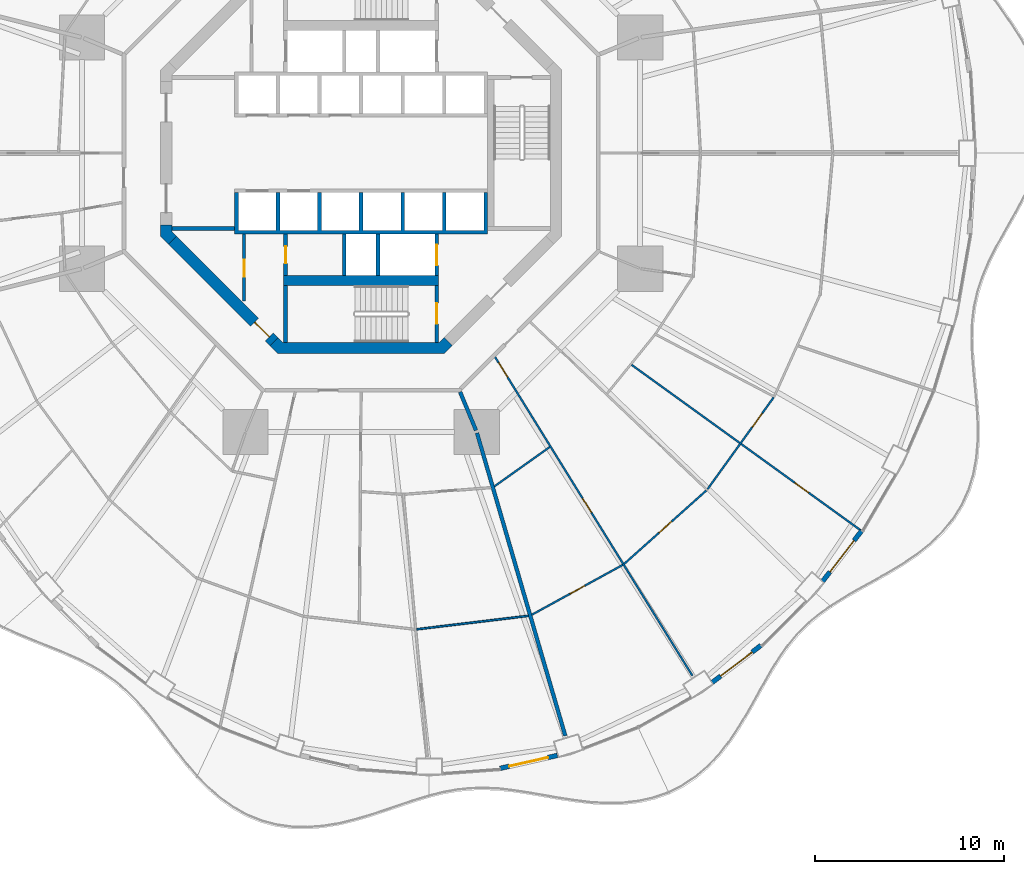
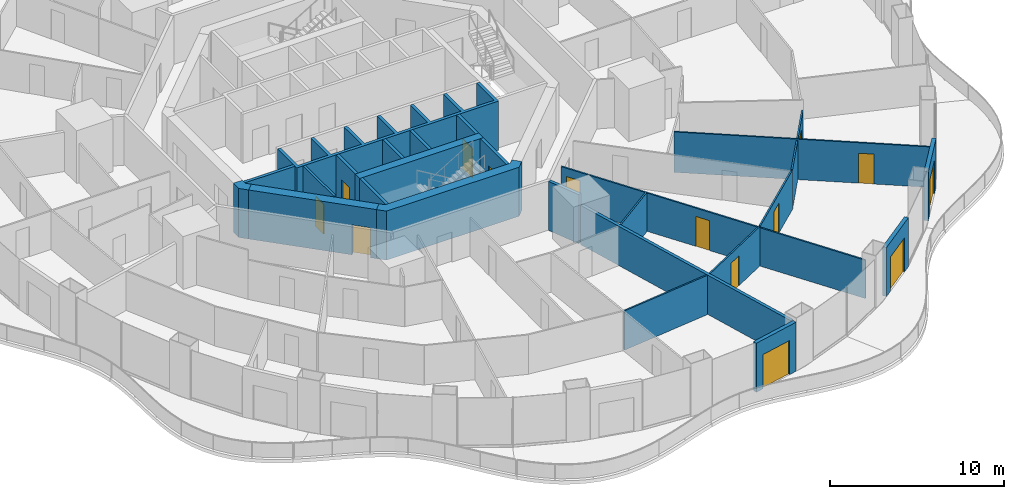
# One storey, part 15 of 22: 25 walls, 14 doors, 14 openings.
"""IFC4 building model written with IfcOpenShell, lengths in metres."""

from ifc_helpers import new_model, si_unit, direction, frame, frame_2d, origin, place, context, subcontext, project, spatial, polyline, rectangle, outline, extrude, material, layer, layer_set, type_object, element, fill, save


model = new_model("IFC4")

# Units and contexts
model_context = context("Model", 3, precision=1e-05, world=origin(), true_north=direction((0.0, 1.0)))
body_context = subcontext(model_context, "Body", "Model", "MODEL_VIEW")
ifc_project = project(units=[si_unit("LENGTHUNIT", "METRE"), si_unit("AREAUNIT", "SQUARE_METRE"), si_unit("VOLUMEUNIT", "CUBIC_METRE"), si_unit("PLANEANGLEUNIT", "RADIAN"), si_unit("MASSUNIT", "GRAM", prefix="KILO")], contexts=[model_context])

# Site, building, storey
site_placement = place(None, origin())
site = spatial("IfcSite", under=ifc_project, at=site_placement, CompositionType="ELEMENT")
building_placement = place(site_placement, origin())
building = spatial("IfcBuilding", under=site, at=building_placement, Name="Nagisa Residences", CompositionType="ELEMENT")
storey_placement = place(building_placement, frame((0.0, 0.0, 52.89990234375)))
storey = spatial("IfcBuildingStorey", under=building, at=storey_placement, Name="L12", CompositionType="ELEMENT", Elevation=52.89990234375)

# Walls
ifc_material_1 = material(Name="Gypsum board on steel studs", Category="steel")
ifc_layer_1 = layer(ifc_material_1, 0.199951171875)
ifc_layer_set_1 = layer_set([ifc_layer_1], Name="Apartment compartment wall EI60 200")
wall_type_1 = type_object("IfcWallType", Name="Apartment compartment wall EI60 200", PredefinedType="PARTITIONING", material=ifc_layer_set_1)
wall_1_placement = place(storey_placement, frame((5.24267578125, -12.6572265625, 0.0), z_axis=(0.0, 0.0, 1.0), x_axis=(0.382707856524, -0.923869415315, 0.0)))
element("IfcWall", 1, at=wall_1_placement, inside=storey, type_object=wall_type_1, Name="wall:L12:u08", PredefinedType="PARTITIONING", context=body_context, shape_type="SweptSolid", body=[
    extrude(rectangle(XDim=2.2001953125, YDim=0.199951171875, at=frame_2d((1.10009765625, 0.0))), origin(), (0.0, 0.0, 1.0), 3.440185546875),
])
wall_2_placement = place(storey_placement, frame((6.136962890625, -14.830078125, 0.0), z_axis=(0.0, 0.0, 1.0), x_axis=(0.27985745069, -0.960041565399, 0.0)))
element("IfcWall", 2, at=wall_2_placement, inside=storey, type_object=wall_type_1, Name="wall:L12:u09", PredefinedType="PARTITIONING", context=body_context, shape_type="SweptSolid", body=[
    extrude(rectangle(XDim=16.705078125, YDim=0.199951171875, at=frame_2d((8.3525390625, 0.0))), origin(), (0.0, 0.0, 1.0), 2.756103515625),
])
ifc_material_2 = material(Name="Gypsum board on steel studs", Category="steel")
ifc_layer_2 = layer(ifc_material_2, 0.10009765625)
ifc_layer_set_2 = layer_set([ifc_layer_2], Name="Apartment partition 100")
wall_type_2 = type_object("IfcWallType", Name="Apartment partition 100", PredefinedType="PARTITIONING", material=ifc_layer_set_2)
wall_3_placement = place(storey_placement, frame((2.94091796875, -25.228515625, 0.0), z_axis=(0.0, 0.0, 1.0), x_axis=(0.992834127896, 0.119500604542, 0.0)))
element("IfcWall", 3, at=wall_3_placement, inside=storey, type_object=wall_type_2, Name="wall:L12:u78", PredefinedType="PARTITIONING", context=body_context, shape_type="SweptSolid", body=[
    extrude(rectangle(XDim=5.95947265625, YDim=0.10009765625, at=frame_2d((2.979736328125, 0.0))), origin(), (0.0, 0.0, 1.0), 2.756103515625),
])
wall_4_placement = place(storey_placement, frame((7.0595703125, -17.657470703125, 0.0), z_axis=(0.0, 0.0, 1.0), x_axis=(0.81492039338, 0.57957290521, 0.0)))
element("IfcWall", 4, at=wall_4_placement, inside=storey, type_object=wall_type_2, Name="wall:L12:u79", PredefinedType="PARTITIONING", context=body_context, shape_type="SweptSolid", body=[
    extrude(rectangle(XDim=3.594482421875, YDim=0.10009765625, at=frame_2d((1.79736328125, 0.0))), origin(), (0.0, 0.0, 1.0), 2.756103515625),
])

# Wall, opening, door
wall_5_placement = place(storey_placement, frame((9.044677734375, -24.456298828125, 0.0), z_axis=(0.0, 0.0, 1.0), x_axis=(0.876809987787, 0.480837025734, 0.0)))
wall_5 = element("IfcWall", 5, at=wall_5_placement, inside=storey, type_object=wall_type_2, Name="wall:L12:u80", PredefinedType="PARTITIONING", context=body_context, shape_type="SweptSolid", body=[
    extrude(rectangle(XDim=5.486083984375, YDim=0.10009765625, at=frame_2d((2.7431640625, 0.0))), origin(), (0.0, 0.0, 1.0), 2.756103515625),
])
opening_1_placement = place(wall_5_placement, frame((2.293212890625, 0.0, 0.0)))
opening_1 = element("IfcOpeningElement", 6, at=opening_1_placement, cuts=wall_5, Name="Opening L12-U37", PredefinedType="OPENING", context=body_context, shape_type="SweptSolid", body=[
    extrude(rectangle(XDim=0.89990234375, YDim=2.10009765625, at=frame_2d((0.449951171875, 1.050048828125))), frame((0.0, 0.06005859375, 0.0), z_axis=(0.0, -1.0, 0.0), x_axis=(1.0, 0.0, 0.0)), (0.0, 0.0, 1.0), 0.1201171875),
])
ifc_material_3 = material(Name="Timber door set", Category="wood")
door_type_1 = type_object("IfcDoorType", Name="Apartment door 900x2100", OperationType="NOTDEFINED", PredefinedType="DOOR", material=ifc_material_3)
door_1_placement = place(opening_1_placement, frame((0.89990234375, 0.0, 0.0), x_axis=(-1.0, 0.0, 0.0)))
door_1 = element("IfcDoor", 7, at=door_1_placement, inside=storey, type_object=door_type_1, Name="Door to master bedroom, Apartment 12D", OperationType="SINGLE_SWING_RIGHT", OverallHeight=2.10009765625, OverallWidth=0.89990234375, PredefinedType="DOOR", context=body_context, shape_type="SweptSolid", body=[
    extrude(rectangle(XDim=0.89990234375, YDim=2.10009765625, at=frame_2d((0.449951171875, 1.050048828125))), frame((0.0, 0.02490234375, 0.0), z_axis=(0.0, -1.0, 0.0), x_axis=(1.0, 0.0, 0.0)), (0.0, 0.0, 1.0), 0.050048828125),
])
fill(opening_1, door_1)

# Wall, openings, doors
wall_6_placement = place(storey_placement, frame((7.09716796875, -10.809814453125, 0.0), z_axis=(0.0, 0.0, 1.0), x_axis=(0.526453266471, -0.850204068576, 0.0)))
wall_6 = element("IfcWall", 8, at=wall_6_placement, inside=storey, type_object=wall_type_2, Name="wall:L12:u81", PredefinedType="PARTITIONING", context=body_context, shape_type="SweptSolid", body=[
    extrude(rectangle(XDim=19.85009765625, YDim=0.10009765625, at=frame_2d((9.925048828125, 0.0))), origin(), (0.0, 0.0, 1.0), 2.68701171875),
])
opening_2_placement = place(wall_6_placement, frame((0.35009765625, 0.0, 0.0)))
opening_2 = element("IfcOpeningElement", 9, at=opening_2_placement, cuts=wall_6, Name="Opening L12-U29", PredefinedType="OPENING", context=body_context, shape_type="SweptSolid", body=[
    extrude(rectangle(XDim=0.89990234375, YDim=2.10009765625, at=frame_2d((0.449951171875, 1.050048828125))), frame((0.0, 0.06005859375, 0.0), z_axis=(0.0, -1.0, 0.0), x_axis=(1.0, 0.0, 0.0)), (0.0, 0.0, 1.0), 0.1201171875),
])
opening_3_placement = place(wall_6_placement, frame((8.794921875, 0.0, 0.0)))
opening_3 = element("IfcOpeningElement", 10, at=opening_3_placement, cuts=wall_6, Name="Opening L12-U33", PredefinedType="OPENING", context=body_context, shape_type="SweptSolid", body=[
    extrude(rectangle(XDim=0.89990234375, YDim=2.10009765625, at=frame_2d((0.449951171875, 1.050048828125))), frame((0.0, 0.06005859375, 0.0), z_axis=(0.0, -1.0, 0.0), x_axis=(1.0, 0.0, 0.0)), (0.0, 0.0, 1.0), 0.1201171875),
])
door_2_placement = place(opening_2_placement, frame((0.89990234375, 0.0, 0.0), x_axis=(-1.0, 0.0, 0.0)))
door_2 = element("IfcDoor", 11, at=door_2_placement, inside=storey, type_object=door_type_1, Name="Door to laundry, Apartment 12D", OperationType="SINGLE_SWING_RIGHT", OverallHeight=2.10009765625, OverallWidth=0.89990234375, PredefinedType="DOOR", context=body_context, shape_type="SweptSolid", body=[
    extrude(rectangle(XDim=0.89990234375, YDim=2.10009765625, at=frame_2d((0.449951171875, 1.050048828125))), frame((0.0, 0.02490234375, 0.0), z_axis=(0.0, -1.0, 0.0), x_axis=(1.0, 0.0, 0.0)), (0.0, 0.0, 1.0), 0.050048828125),
])
fill(opening_2, door_2)
door_3_placement = place(opening_3_placement, frame((0.89990234375, 0.0, 0.0), x_axis=(-1.0, 0.0, 0.0)))
door_3 = element("IfcDoor", 12, at=door_3_placement, inside=storey, type_object=door_type_1, Name="Door to kitchen, Apartment 12D", OperationType="SINGLE_SWING_RIGHT", OverallHeight=2.10009765625, OverallWidth=0.89990234375, PredefinedType="DOOR", context=body_context, shape_type="SweptSolid", body=[
    extrude(rectangle(XDim=0.89990234375, YDim=2.10009765625, at=frame_2d((0.449951171875, 1.050048828125))), frame((0.0, 0.02490234375, 0.0), z_axis=(0.0, -1.0, 0.0), x_axis=(1.0, 0.0, 0.0)), (0.0, 0.0, 1.0), 0.050048828125),
])
fill(opening_3, door_3)

# Wall, opening, door
wall_7_placement = place(storey_placement, frame((13.936279296875, -21.760986328125, 0.0), z_axis=(0.0, 0.0, 1.0), x_axis=(0.745806142791, 0.666163041136, 0.0)))
wall_7 = element("IfcWall", 13, at=wall_7_placement, inside=storey, type_object=wall_type_2, Name="wall:L12:u82", PredefinedType="PARTITIONING", context=body_context, shape_type="SweptSolid", body=[
    extrude(rectangle(XDim=5.83056640625, YDim=0.10009765625, at=frame_2d((2.915283203125, 0.0))), origin(), (0.0, 0.0, 1.0), 2.756103515625),
])
opening_4_placement = place(wall_7_placement, frame((2.46533203125, 0.0, 0.0)))
opening_4 = element("IfcOpeningElement", 14, at=opening_4_placement, cuts=wall_7, Name="Opening L12-U38", PredefinedType="OPENING", context=body_context, shape_type="SweptSolid", body=[
    extrude(rectangle(XDim=0.89990234375, YDim=2.10009765625, at=frame_2d((0.449951171875, 1.050048828125))), frame((0.0, 0.06005859375, 0.0), z_axis=(0.0, -1.0, 0.0), x_axis=(1.0, 0.0, 0.0)), (0.0, 0.0, 1.0), 0.1201171875),
])
door_4_placement = place(opening_4_placement, frame((0.89990234375, 0.0, 0.0), x_axis=(-1.0, 0.0, 0.0)))
door_4 = element("IfcDoor", 15, at=door_4_placement, inside=storey, type_object=door_type_1, Name="Door to living room, Apartment 12D", OperationType="SINGLE_SWING_LEFT", OverallHeight=2.10009765625, OverallWidth=0.89990234375, PredefinedType="DOOR", context=body_context, shape_type="SweptSolid", body=[
    extrude(rectangle(XDim=0.89990234375, YDim=2.10009765625, at=frame_2d((0.449951171875, 1.050048828125))), frame((0.0, 0.02490234375, 0.0), z_axis=(0.0, -1.0, 0.0), x_axis=(1.0, 0.0, 0.0)), (0.0, 0.0, 1.0), 0.050048828125),
])
fill(opening_4, door_4)

wall_8_placement = place(storey_placement, frame((18.35107421875, -17.802978515625, 0.0), z_axis=(0.0, 0.0, 1.0), x_axis=(0.584563700282, 0.811347817099, 0.0)))
wall_8 = element("IfcWall", 16, at=wall_8_placement, inside=storey, type_object=wall_type_2, Name="wall:L12:u85", PredefinedType="PARTITIONING", context=body_context, shape_type="SweptSolid", body=[
    extrude(rectangle(XDim=5.984375, YDim=0.10009765625, at=frame_2d((2.9921875, 0.0))), origin(), (0.0, 0.0, 1.0), 2.756103515625),
])
opening_5_placement = place(wall_8_placement, frame((4.038330078125, 0.0, 0.0)))
opening_5 = element("IfcOpeningElement", 17, at=opening_5_placement, cuts=wall_8, Name="Opening L12-U42", PredefinedType="OPENING", context=body_context, shape_type="SweptSolid", body=[
    extrude(rectangle(XDim=0.89990234375, YDim=2.10009765625, at=frame_2d((0.449951171875, 1.050048828125))), frame((0.0, 0.06005859375, 0.0), z_axis=(0.0, -1.0, 0.0), x_axis=(1.0, 0.0, 0.0)), (0.0, 0.0, 1.0), 0.1201171875),
])
door_5_placement = place(opening_5_placement, origin())
door_5 = element("IfcDoor", 18, at=door_5_placement, inside=storey, type_object=door_type_1, Name="Door to en-suite bathroom, Apartment 12D", OperationType="SINGLE_SWING_RIGHT", OverallHeight=2.10009765625, OverallWidth=0.89990234375, PredefinedType="DOOR", context=body_context, shape_type="SweptSolid", body=[
    extrude(rectangle(XDim=0.89990234375, YDim=2.10009765625, at=frame_2d((0.449951171875, 1.050048828125))), frame((0.0, 0.02490234375, 0.0), z_axis=(0.0, -1.0, 0.0), x_axis=(1.0, 0.0, 0.0)), (0.0, 0.0, 1.0), 0.050048828125),
])
fill(opening_5, door_5)

wall_9_placement = place(storey_placement, frame((14.328857421875, -11.22119140625, 0.0), z_axis=(0.0, 0.0, 1.0), x_axis=(0.810671130917, -0.58550176558, 0.0)))
wall_9 = element("IfcWall", 19, at=wall_9_placement, inside=storey, type_object=wall_type_2, Name="wall:L12:u86", PredefinedType="PARTITIONING", context=body_context, shape_type="SweptSolid", body=[
    extrude(rectangle(XDim=15.105712890625, YDim=0.10009765625, at=frame_2d((7.552734375, 0.0))), origin(), (0.0, 0.0, 1.0), 2.837158203125),
])
opening_6_placement = place(wall_9_placement, frame((10.65869140625, 0.0, 0.0)))
opening_6 = element("IfcOpeningElement", 20, at=opening_6_placement, cuts=wall_9, Name="Opening L12-U39", PredefinedType="OPENING", context=body_context, shape_type="SweptSolid", body=[
    extrude(rectangle(XDim=0.89990234375, YDim=2.10009765625, at=frame_2d((0.449951171875, 1.050048828125))), frame((0.0, 0.06005859375, 0.0), z_axis=(0.0, -1.0, 0.0), x_axis=(1.0, 0.0, 0.0)), (0.0, 0.0, 1.0), 0.1201171875),
])
door_6_placement = place(opening_6_placement, origin())
door_6 = element("IfcDoor", 21, at=door_6_placement, inside=storey, type_object=door_type_1, Name="Door to master bedroom, Apartment 12D", OperationType="SINGLE_SWING_LEFT", OverallHeight=2.10009765625, OverallWidth=0.89990234375, PredefinedType="DOOR", context=body_context, shape_type="SweptSolid", body=[
    extrude(rectangle(XDim=0.89990234375, YDim=2.10009765625, at=frame_2d((0.449951171875, 1.050048828125))), frame((0.0, 0.02490234375, 0.0), z_axis=(0.0, -1.0, 0.0), x_axis=(1.0, 0.0, 0.0)), (0.0, 0.0, 1.0), 0.050048828125),
])
fill(opening_6, door_6)

ifc_material_4 = material(Name="Precast concrete C40/50", Category="concrete")
ifc_layer_3 = layer(ifc_material_4, 0.25)
ifc_layer_set_3 = layer_set([ifc_layer_3], Name="BALCONY DOOR WALL 250")
wall_type_3 = type_object("IfcWallType", Name="BALCONY DOOR WALL 250", PredefinedType="SOLIDWALL", material=ifc_layer_set_3)
wall_10_placement = place(storey_placement, frame((10.3955078125, -31.908203125, 0.0), z_axis=(0.0, 0.0, 1.0), x_axis=(-0.97533495413, -0.220729987208, 0.0)))
wall_10 = element("IfcWall", 22, at=wall_10_placement, inside=storey, type_object=wall_type_3, Name="wall:L12:bay37", PredefinedType="SOLIDWALL", context=body_context, shape_type="SweptSolid", body=[
    extrude(rectangle(XDim=3.11474609375, YDim=0.25, at=frame_2d((1.557373046875, 0.0))), origin(), (0.0, 0.0, 1.0), 3.440185546875),
])
opening_7_placement = place(wall_10_placement, frame((0.50732421875, 0.0, 0.0)))
opening_7 = element("IfcOpeningElement", 23, at=opening_7_placement, cuts=wall_10, Name="Opening BD-L12-13", PredefinedType="OPENING", context=body_context, shape_type="SweptSolid", body=[
    extrude(rectangle(XDim=2.10009765625, YDim=2.39990234375, at=frame_2d((1.050048828125, 1.199951171875))), frame((0.0, 0.135009765625, 0.0), z_axis=(0.0, -1.0, 0.0), x_axis=(1.0, 0.0, 0.0)), (0.0, 0.0, 1.0), 0.27001953125),
])
ifc_material_5 = material(Name="Aluminium and clear glass", Category="aluminium")
door_type_2 = type_object("IfcDoorType", Name="BALCONY SLIDING DOOR 2100x2400", OperationType="SLIDING_TO_LEFT", PredefinedType="DOOR", material=ifc_material_5)
door_7_placement = place(opening_7_placement, origin())
door_7 = element("IfcDoor", 24, at=door_7_placement, inside=storey, type_object=door_type_2, Name="door:L12:bay37", OperationType="SLIDING_TO_LEFT", OverallHeight=2.39990234375, OverallWidth=2.10009765625, PredefinedType="DOOR", context=body_context, shape_type="SweptSolid", body=[
    extrude(rectangle(XDim=2.10009765625, YDim=2.39990234375, at=frame_2d((1.050048828125, 1.199951171875))), frame((0.0, 0.02490234375, 0.0), z_axis=(0.0, -1.0, 0.0), x_axis=(1.0, 0.0, 0.0)), (0.0, 0.0, 1.0), 0.050048828125),
])
fill(opening_7, door_7)

wall_11_placement = place(storey_placement, frame((21.178466796875, -26.0810546875, 0.0), z_axis=(0.0, 0.0, 1.0), x_axis=(-0.796022293214, -0.605267303517, 0.0)))
wall_11 = element("IfcWall", 25, at=wall_11_placement, inside=storey, type_object=wall_type_3, Name="wall:L12:bay40", PredefinedType="SOLIDWALL", context=body_context, shape_type="SweptSolid", body=[
    extrude(rectangle(XDim=3.262451171875, YDim=0.25, at=frame_2d((1.63134765625, 0.0))), origin(), (0.0, 0.0, 1.0), 3.440185546875),
])
opening_8_placement = place(wall_11_placement, frame((0.5810546875, 0.0, 0.0)))
opening_8 = element("IfcOpeningElement", 26, at=opening_8_placement, cuts=wall_11, Name="Opening BD-L12-14", PredefinedType="OPENING", context=body_context, shape_type="SweptSolid", body=[
    extrude(rectangle(XDim=2.10009765625, YDim=2.39990234375, at=frame_2d((1.050048828125, 1.199951171875))), frame((0.0, 0.135009765625, 0.0), z_axis=(0.0, -1.0, 0.0), x_axis=(1.0, 0.0, 0.0)), (0.0, 0.0, 1.0), 0.27001953125),
])
door_8_placement = place(opening_8_placement, origin())
door_8 = element("IfcDoor", 27, at=door_8_placement, inside=storey, type_object=door_type_2, Name="door:L12:bay40", OperationType="SLIDING_TO_LEFT", OverallHeight=2.39990234375, OverallWidth=2.10009765625, PredefinedType="DOOR", context=body_context, shape_type="SweptSolid", body=[
    extrude(rectangle(XDim=2.10009765625, YDim=2.39990234375, at=frame_2d((1.050048828125, 1.199951171875))), frame((0.0, 0.02490234375, 0.0), z_axis=(0.0, -1.0, 0.0), x_axis=(1.0, 0.0, 0.0)), (0.0, 0.0, 1.0), 0.050048828125),
])
fill(opening_8, door_8)

wall_12_placement = place(storey_placement, frame((26.50830078125, -20.012939453125, 0.0), z_axis=(0.0, 0.0, 1.0), x_axis=(-0.610457147657, -0.792049285635, 0.0)))
wall_12 = element("IfcWall", 28, at=wall_12_placement, inside=storey, type_object=wall_type_3, Name="wall:L12:bay42", PredefinedType="SOLIDWALL", context=body_context, shape_type="SweptSolid", body=[
    extrude(rectangle(XDim=3.3974609375, YDim=0.25, at=frame_2d((1.69873046875, 0.0))), origin(), (0.0, 0.0, 1.0), 3.440185546875),
])
opening_9_placement = place(wall_12_placement, frame((0.648681640625, 0.0, 0.0)))
opening_9 = element("IfcOpeningElement", 29, at=opening_9_placement, cuts=wall_12, Name="Opening BD-L12-15", PredefinedType="OPENING", context=body_context, shape_type="SweptSolid", body=[
    extrude(rectangle(XDim=2.10009765625, YDim=2.39990234375, at=frame_2d((1.050048828125, 1.199951171875))), frame((0.0, 0.135009765625, 0.0), z_axis=(0.0, -1.0, 0.0), x_axis=(1.0, 0.0, 0.0)), (0.0, 0.0, 1.0), 0.27001953125),
])
door_9_placement = place(opening_9_placement, origin())
door_9 = element("IfcDoor", 30, at=door_9_placement, inside=storey, type_object=door_type_2, Name="door:L12:bay42", OperationType="SLIDING_TO_LEFT", OverallHeight=2.39990234375, OverallWidth=2.10009765625, PredefinedType="DOOR", context=body_context, shape_type="SweptSolid", body=[
    extrude(rectangle(XDim=2.10009765625, YDim=2.39990234375, at=frame_2d((1.050048828125, 1.199951171875))), frame((0.0, 0.02490234375, 0.0), z_axis=(0.0, -1.0, 0.0), x_axis=(1.0, 0.0, 0.0)), (0.0, 0.0, 1.0), 0.050048828125),
])
fill(opening_9, door_9)

ifc_material_6 = material(Name="Gypsum board on steel studs", Category="steel")
ifc_layer_4 = layer(ifc_material_6, 0.14990234375)
ifc_layer_set_4 = layer_set([ifc_layer_4], Name="Core partition 150")
wall_type_4 = type_object("IfcWallType", Name="Core partition 150", PredefinedType="PARTITIONING", material=ifc_layer_set_4)
wall_13_placement = place(storey_placement, frame((-6.199951171875, -7.826904296875, 0.0), z_axis=(0.0, 0.0, 1.0), x_axis=(0.0, 1.0, 0.0)))
wall_13 = element("IfcWall", 31, at=wall_13_placement, inside=storey, type_object=wall_type_4, Name="wall:L12:SWp", PredefinedType="PARTITIONING", context=body_context, shape_type="SweptSolid", body=[
    extrude(rectangle(XDim=3.52685546875, YDim=0.14990234375, at=frame_2d((1.763427734375, 0.0))), origin(), (0.0, 0.0, 1.0), 3.440185546875),
])
opening_10_placement = place(wall_13_placement, frame((1.27587890625, 0.0, 0.0)))
opening_10 = element("IfcOpeningElement", 32, at=opening_10_placement, cuts=wall_13, Name="Opening L12-C13", PredefinedType="OPENING", context=body_context, shape_type="SweptSolid", body=[
    extrude(rectangle(XDim=0.89990234375, YDim=2.10009765625, at=frame_2d((0.449951171875, 1.050048828125))), frame((0.0, 0.0849609375, 0.0), z_axis=(0.0, -1.0, 0.0), x_axis=(1.0, 0.0, 0.0)), (0.0, 0.0, 1.0), 0.169921875),
])
ifc_material_7 = material(Name="Steel fire door", Category="steel")
door_type_3 = type_object("IfcDoorType", Name="Fire door EI30 900x2100 single swing", OperationType="NOTDEFINED", PredefinedType="DOOR", material=ifc_material_7)
door_10_placement = place(opening_10_placement, origin())
door_10 = element("IfcDoor", 33, at=door_10_placement, inside=storey, type_object=door_type_3, Name="Janitor door L12", OperationType="SINGLE_SWING_LEFT", OverallHeight=2.10009765625, OverallWidth=0.89990234375, PredefinedType="DOOR", context=body_context, shape_type="SweptSolid", body=[
    extrude(rectangle(XDim=0.89990234375, YDim=2.10009765625, at=frame_2d((0.449951171875, 1.050048828125))), frame((0.0, 0.02490234375, 0.0), z_axis=(0.0, -1.0, 0.0), x_axis=(1.0, 0.0, 0.0)), (0.0, 0.0, 1.0), 0.050048828125),
])
fill(opening_10, door_10)

# Wall
ifc_material_8 = material(Name="Gypsum board on steel studs", Category="steel")
ifc_layer_5 = layer(ifc_material_8, 0.199951171875)
ifc_layer_set_5 = layer_set([ifc_layer_5], Name="Core partition 200")
wall_type_5 = type_object("IfcWallType", Name="Core partition 200", PredefinedType="PARTITIONING", material=ifc_layer_set_5)
wall_14_placement = place(storey_placement, frame((-10.024658203125, -4.0, 0.0), z_axis=(0.0, 0.0, 1.0), x_axis=(1.0, 0.0, 0.0)))
element("IfcWall", 34, at=wall_14_placement, inside=storey, type_object=wall_type_5, Name="wall:L12:PSW", PredefinedType="PARTITIONING", context=body_context, shape_type="SweptSolid", body=[
    extrude(rectangle(XDim=3.32470703125, YDim=0.199951171875, at=frame_2d((1.662353515625, 0.0))), origin(), (0.0, 0.0, 1.0), 3.440185546875),
])

# Wall, opening, door
ifc_material_9 = material(Name="Concrete C60", Category="concrete")
ifc_layer_6 = layer(ifc_material_9, 0.60009765625)
ifc_layer_set_6 = layer_set([ifc_layer_6], Name="Core shear wall 600")
wall_type_6 = type_object("IfcWallType", Name="Core shear wall 600", PredefinedType="SHEAR", material=ifc_layer_set_6)
wall_15_placement = place(storey_placement, frame((-9.98828125, -4.613037109375, 0.0), z_axis=(0.0, 0.0, 1.0), x_axis=(0.707106781187, -0.707106781187, 0.0)))
wall_15 = element("IfcWall", 35, at=wall_15_placement, inside=storey, type_object=wall_type_6, Name="wall:L12:core:flat5", PredefinedType="SHEAR", context=body_context, shape_type="SweptSolid", body=[
    extrude(rectangle(XDim=7.601806640625, YDim=0.60009765625, at=frame_2d((3.80078125, 0.0))), origin(), (0.0, 0.0, 1.0), 3.440185546875),
])
opening_11_placement = place(wall_15_placement, frame((6.15087890625, 0.0, 0.0)))
opening_11 = element("IfcOpeningElement", 36, at=opening_11_placement, cuts=wall_15, Name="Opening L12-C20", PredefinedType="OPENING", context=body_context, shape_type="SweptSolid", body=[
    extrude(rectangle(XDim=1.10009765625, YDim=2.10009765625, at=frame_2d((0.550048828125, 1.050048828125))), frame((0.0, 0.31005859375, 0.0), z_axis=(0.0, -1.0, 0.0), x_axis=(1.0, 0.0, 0.0)), (0.0, 0.0, 1.0), 0.6201171875),
])
ifc_material_10 = material(Name="Steel fire door", Category="steel")
door_type_4 = type_object("IfcDoorType", Name="Fire door EI60 1100x2100 single swing", OperationType="NOTDEFINED", PredefinedType="DOOR", material=ifc_material_10)
door_11_placement = place(opening_11_placement, origin())
door_11 = element("IfcDoor", 37, at=door_11_placement, inside=storey, type_object=door_type_4, Name="Housekeeping lobby door L12", OperationType="SINGLE_SWING_LEFT", OverallHeight=2.10009765625, OverallWidth=1.10009765625, PredefinedType="DOOR", context=body_context, shape_type="SweptSolid", body=[
    extrude(rectangle(XDim=1.10009765625, YDim=2.10009765625, at=frame_2d((0.550048828125, 1.050048828125))), frame((0.0, 0.02490234375, 0.0), z_axis=(0.0, -1.0, 0.0), x_axis=(1.0, 0.0, 0.0)), (0.0, 0.0, 1.0), 0.050048828125),
])
fill(opening_11, door_11)

# Walls
wall_16_placement = place(storey_placement, origin())
element("IfcWall", 38, at=wall_16_placement, inside=storey, type_object=wall_type_6, Name="wall:L12:core:pier4", PredefinedType="SHEAR", context=body_context, shape_type="SweptSolid", body=[
    extrude(outline(polyline([(-10.62451171875, -3.80078125), (-10.024658203125, -3.80078125), (-10.024658203125, -4.15234375), (-9.776123046875, -4.40087890625), (-10.200439453125, -4.8251953125), (-10.62451171875, -4.40087890625), (-10.62451171875, -3.80078125)])), origin(), (0.0, 0.0, 1.0), 3.440185546875),
])
wall_17_placement = place(storey_placement, origin())
element("IfcWall", 39, at=wall_17_placement, inside=storey, type_object=wall_type_6, Name="wall:L12:core:flat6", PredefinedType="SHEAR", context=body_context, shape_type="SweptSolid", body=[
    extrude(outline(polyline([(-4.15234375, -10.024658203125), (4.15234375, -10.024658203125), (4.40087890625, -9.776123046875), (4.8251953125, -10.200439453125), (4.40087890625, -10.62451171875), (-4.40087890625, -10.62451171875), (-4.8251953125, -10.200439453125), (-4.40087890625, -9.776123046875), (-4.15234375, -10.024658203125)])), origin(), (0.0, 0.0, 1.0), 3.440185546875),
])

# Wall, opening, door
ifc_material_11 = material(Name="Concrete C60", Category="concrete")
ifc_layer_7 = layer(ifc_material_11, 0.199951171875)
ifc_layer_set_7 = layer_set([ifc_layer_7], Name="Lift shaft wall 200")
wall_type_7 = type_object("IfcWallType", Name="Lift shaft wall 200", PredefinedType="SOLIDWALL", material=ifc_layer_set_7)
wall_18_placement = place(storey_placement, frame((4.0, -6.5, 0.0), z_axis=(0.0, 0.0, 1.0), x_axis=(0.0, 1.0, 0.0)))
wall_18 = element("IfcWall", 40, at=wall_18_placement, inside=storey, type_object=wall_type_7, Name="wall:L12:Sb3", PredefinedType="SOLIDWALL", context=body_context, shape_type="SweptSolid", body=[
    extrude(rectangle(XDim=2.199951171875, YDim=0.199951171875, at=frame_2d((1.10009765625, 0.0))), origin(), (0.0, 0.0, 1.0), 3.440185546875),
])
opening_12_placement = place(wall_18_placement, frame((0.550048828125, 0.0, 0.0)))
opening_12 = element("IfcOpeningElement", 41, at=opening_12_placement, cuts=wall_18, Name="Opening L12-C07", PredefinedType="OPENING", context=body_context, shape_type="SweptSolid", body=[
    extrude(rectangle(XDim=1.10009765625, YDim=2.10009765625, at=frame_2d((0.550048828125, 1.050048828125))), frame((0.0, 0.10986328125, 0.0), z_axis=(0.0, -1.0, 0.0), x_axis=(1.0, 0.0, 0.0)), (0.0, 0.0, 1.0), 0.219970703125),
])
ifc_material_12 = material(Name="Stainless steel", Category="steel")
door_type_5 = type_object("IfcDoorType", Name="Lift landing door 1100x2100", OperationType="DOUBLE_DOOR_SLIDING", PredefinedType="DOOR", material=ifc_material_12)
door_12_placement = place(opening_12_placement, origin())
door_12 = element("IfcDoor", 42, at=door_12_placement, inside=storey, type_object=door_type_5, Name="Landing door FL2 L12", OperationType="DOUBLE_DOOR_SLIDING", OverallHeight=2.10009765625, OverallWidth=1.10009765625, PredefinedType="DOOR", context=body_context, shape_type="SweptSolid", body=[
    extrude(rectangle(XDim=1.10009765625, YDim=2.10009765625, at=frame_2d((0.550048828125, 1.050048828125))), frame((0.0, 0.02490234375, 0.0), z_axis=(0.0, -1.0, 0.0), x_axis=(1.0, 0.0, 0.0)), (0.0, 0.0, 1.0), 0.050048828125),
])
fill(opening_12, door_12)

wall_19_placement = place(storey_placement, frame((-4.0, -6.5, 0.0), z_axis=(0.0, 0.0, 1.0), x_axis=(0.0, 1.0, 0.0)))
wall_19 = element("IfcWall", 43, at=wall_19_placement, inside=storey, type_object=wall_type_7, Name="wall:L12:Sb4", PredefinedType="SOLIDWALL", context=body_context, shape_type="SweptSolid", body=[
    extrude(rectangle(XDim=2.199951171875, YDim=0.199951171875, at=frame_2d((1.10009765625, 0.0))), origin(), (0.0, 0.0, 1.0), 3.440185546875),
])
opening_13_placement = place(wall_19_placement, frame((0.64990234375, 0.0, 0.0)))
opening_13 = element("IfcOpeningElement", 44, at=opening_13_placement, cuts=wall_19, Name="Opening L12-C14", PredefinedType="OPENING", context=body_context, shape_type="SweptSolid", body=[
    extrude(rectangle(XDim=0.89990234375, YDim=2.10009765625, at=frame_2d((0.449951171875, 1.050048828125))), frame((0.0, 0.10986328125, 0.0), z_axis=(0.0, -1.0, 0.0), x_axis=(1.0, 0.0, 0.0)), (0.0, 0.0, 1.0), 0.219970703125),
])
door_13_placement = place(opening_13_placement, frame((0.89990234375, 0.0, 0.0), x_axis=(-1.0, 0.0, 0.0)))
door_13 = element("IfcDoor", 45, at=door_13_placement, inside=storey, type_object=door_type_3, Name="Refuse room door L12", OperationType="SINGLE_SWING_LEFT", OverallHeight=2.10009765625, OverallWidth=0.89990234375, PredefinedType="DOOR", context=body_context, shape_type="SweptSolid", body=[
    extrude(rectangle(XDim=0.89990234375, YDim=2.10009765625, at=frame_2d((0.449951171875, 1.050048828125))), frame((0.0, 0.02490234375, 0.0), z_axis=(0.0, -1.0, 0.0), x_axis=(1.0, 0.0, 0.0)), (0.0, 0.0, 1.0), 0.050048828125),
])
fill(opening_13, door_13)

# Walls
for number, where, z_axis, x_axis, name in (
    (46, (-0.89990234375, -6.5, 0.0), (0.0, 0.0, 1.0), (0.0, 1.0, 0.0), "wall:L12:Sb1"),
    (47, (0.89990234375, -6.5, 0.0), (0.0, 0.0, 1.0), (0.0, 1.0, 0.0), "wall:L12:Sb2"),
):
    element("IfcWall", number, at=place(storey_placement, frame(where, z_axis=z_axis, x_axis=x_axis)), inside=storey, type_object=wall_type_7, Name=name, PredefinedType="SOLIDWALL", context=body_context, shape_type="SweptSolid", body=[
        extrude(rectangle(XDim=2.199951171875, YDim=0.199951171875, at=frame_2d((1.10009765625, 0.0))), origin(), (0.0, 0.0, 1.0), 3.440185546875),
    ])
wall_20_placement = place(storey_placement, origin())
element("IfcWall", 48, at=wall_20_placement, inside=storey, type_object=wall_type_7, Name="wall:L12:Sback", PredefinedType="SOLIDWALL", context=body_context, shape_type="SweptSolid", body=[
    extrude(outline(polyline([(-6.699951171875, -2.10009765625), (-6.5, -2.10009765625), (-6.5, -4.10009765625), (-4.5, -4.10009765625), (-4.5, -2.10009765625), (-4.300048828125, -2.10009765625), (-4.300048828125, -4.10009765625), (-2.300048828125, -4.10009765625), (-2.300048828125, -2.10009765625), (-2.10009765625, -2.10009765625), (-2.10009765625, -4.10009765625), (-0.10009765625, -4.10009765625), (-0.10009765625, -2.10009765625), (0.10009765625, -2.10009765625), (0.10009765625, -4.10009765625), (2.10009765625, -4.10009765625), (2.10009765625, -2.10009765625), (2.300048828125, -2.10009765625), (2.300048828125, -4.10009765625), (4.300048828125, -4.10009765625), (4.300048828125, -2.10009765625), (4.5, -2.10009765625), (4.5, -4.10009765625), (6.5, -4.10009765625), (6.5, -2.10009765625), (6.699951171875, -2.10009765625), (6.699951171875, -4.300048828125), (-6.699951171875, -4.300048828125), (-6.699951171875, -2.10009765625)])), origin(), (0.0, 0.0, 1.0), 3.440185546875),
])

# Wall, opening, door
ifc_material_13 = material(Name="Concrete C60", Category="concrete")
ifc_layer_8 = layer(ifc_material_13, 0.199951171875)
ifc_layer_set_8 = layer_set([ifc_layer_8], Name="Stair enclosure wall 200")
wall_type_8 = type_object("IfcWallType", Name="Stair enclosure wall 200", PredefinedType="SOLIDWALL", material=ifc_layer_set_8)
wall_21_placement = place(storey_placement, frame((4.0, -10.024658203125, 0.0), z_axis=(0.0, 0.0, 1.0), x_axis=(0.0, 1.0, 0.0)))
wall_21 = element("IfcWall", 49, at=wall_21_placement, inside=storey, type_object=wall_type_8, Name="wall:L12:SS_e", PredefinedType="SOLIDWALL", context=body_context, shape_type="SweptSolid", body=[
    extrude(rectangle(XDim=3.0, YDim=0.199951171875, at=frame_2d((1.5, 0.0))), origin(), (0.0, 0.0, 1.0), 3.440185546875),
])
opening_14_placement = place(wall_21_placement, frame((0.974609375, 0.0, 0.0)))
opening_14 = element("IfcOpeningElement", 50, at=opening_14_placement, cuts=wall_21, Name="Opening L12-C11", PredefinedType="OPENING", context=body_context, shape_type="SweptSolid", body=[
    extrude(rectangle(XDim=1.10009765625, YDim=2.10009765625, at=frame_2d((0.550048828125, 1.050048828125))), frame((0.0, 0.10986328125, 0.0), z_axis=(0.0, -1.0, 0.0), x_axis=(1.0, 0.0, 0.0)), (0.0, 0.0, 1.0), 0.219970703125),
])
ifc_material_14 = material(Name="Steel fire door", Category="steel")
door_type_6 = type_object("IfcDoorType", Name="Fire door EI90 1100x2100 single swing", OperationType="NOTDEFINED", PredefinedType="DOOR", material=ifc_material_14)
door_14_placement = place(opening_14_placement, origin())
door_14 = element("IfcDoor", 51, at=door_14_placement, inside=storey, type_object=door_type_6, Name="Stair door ST-S L12", OperationType="SINGLE_SWING_LEFT", OverallHeight=2.10009765625, OverallWidth=1.10009765625, PredefinedType="DOOR", context=body_context, shape_type="SweptSolid", body=[
    extrude(rectangle(XDim=1.10009765625, YDim=2.10009765625, at=frame_2d((0.550048828125, 1.050048828125))), frame((0.0, 0.02490234375, 0.0), z_axis=(0.0, -1.0, 0.0), x_axis=(1.0, 0.0, 0.0)), (0.0, 0.0, 1.0), 0.050048828125),
])
fill(opening_14, door_14)

# Walls
wall_22_placement = place(storey_placement, origin())
element("IfcWall", 52, at=wall_22_placement, inside=storey, type_object=wall_type_8, Name="wall:L12:SS_w", PredefinedType="SOLIDWALL", context=body_context, shape_type="SweptSolid", body=[
    extrude(outline(polyline([(-3.89990234375, -10.024658203125), (-4.10009765625, -10.024658203125), (-4.10009765625, -7.024658203125), (-3.89990234375, -7.024658203125), (-3.89990234375, -10.024658203125)])), origin(), (0.0, 0.0, 1.0), 3.440185546875),
])
wall_23_placement = place(storey_placement, origin())
element("IfcWall", 53, at=wall_23_placement, inside=storey, type_object=wall_type_8, Name="wall:L12:SS_n", PredefinedType="SOLIDWALL", context=body_context, shape_type="SweptSolid", body=[
    extrude(outline(polyline([(4.10009765625, -7.024658203125), (-4.10009765625, -7.024658203125), (-4.10009765625, -6.5), (4.10009765625, -6.5), (4.10009765625, -7.024658203125)])), origin(), (0.0, 0.0, 1.0), 3.440185546875),
])

save(model, "model.ifc")
